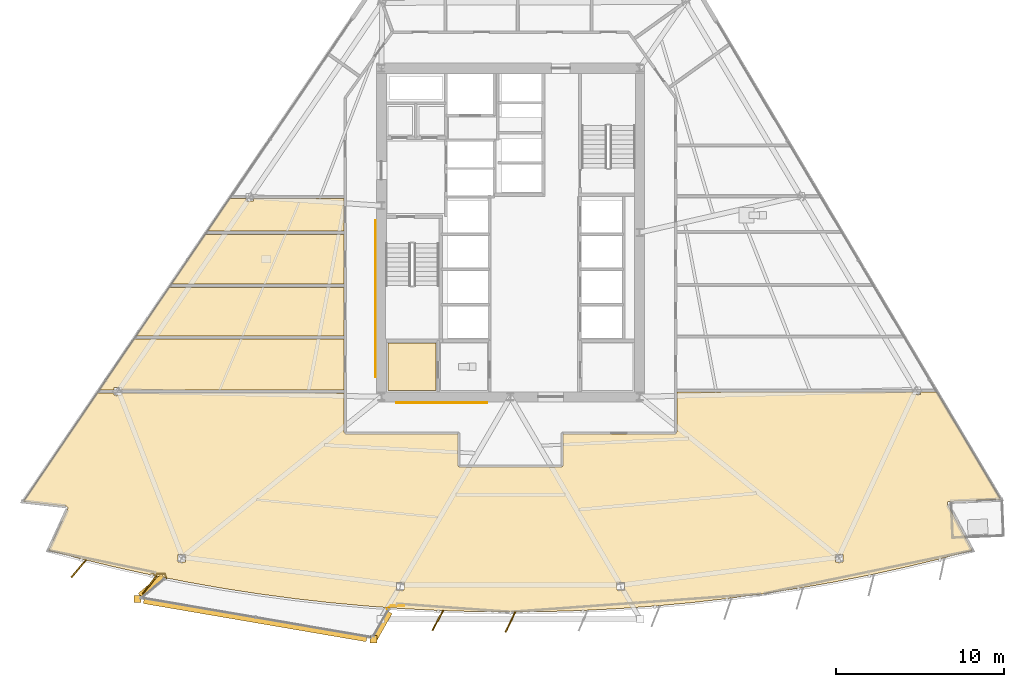
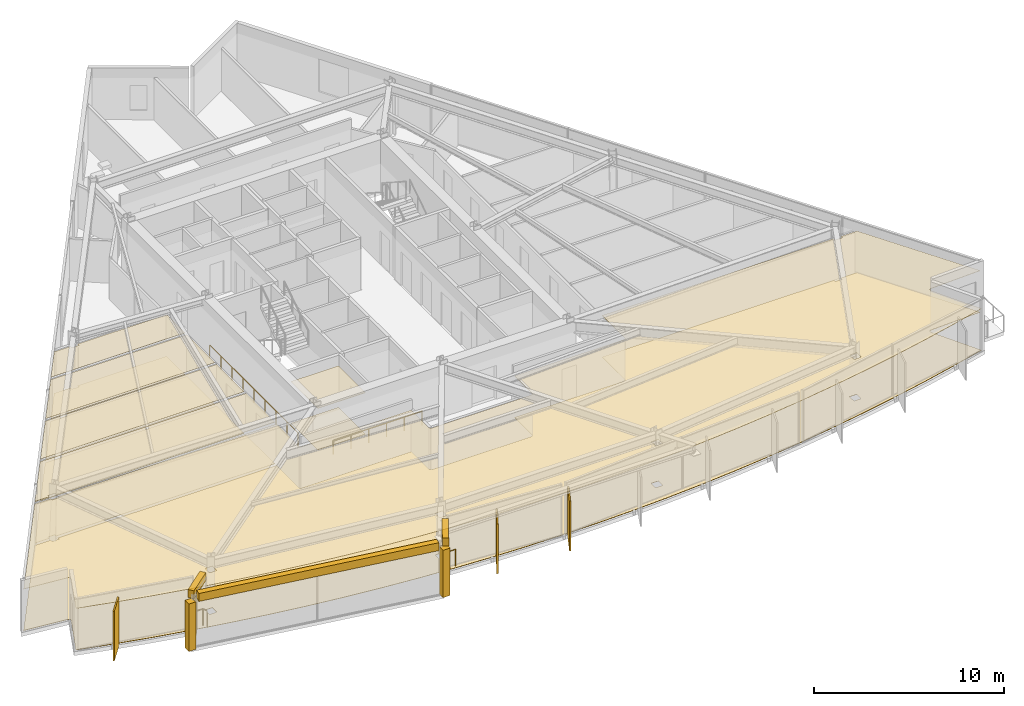
# One storey, part 13 of 17: 17 coverings, 4 railings, 4 shading devices.
"""IFC4 building model written with IfcOpenShell, lengths in metres."""

from ifc_helpers import new_model, si_unit, direction, frame, origin, origin_2d, place, context, subcontext, project, spatial, polyline, rectangle, circle, outline, extrude, material, layer, layer_set, type_object, element, save


model = new_model("IFC4")

# Units and contexts
model_context = context("Model", 3, precision=1e-05, world=origin(), true_north=direction((0.0, 1.0)))
body_context = subcontext(model_context, "Body", "Model", "MODEL_VIEW")
ifc_project = project(units=[si_unit("LENGTHUNIT", "METRE"), si_unit("AREAUNIT", "SQUARE_METRE"), si_unit("VOLUMEUNIT", "CUBIC_METRE"), si_unit("PLANEANGLEUNIT", "RADIAN"), si_unit("MASSUNIT", "GRAM", prefix="KILO")], contexts=[model_context])

# Site, building, storey
site_placement = place(None, origin())
site = spatial("IfcSite", under=ifc_project, at=site_placement, CompositionType="ELEMENT")
building_placement = place(site_placement, origin())
building = spatial("IfcBuilding", under=site, at=building_placement, Name="Savorim Split Tower", CompositionType="ELEMENT")
storey_placement = place(building_placement, frame((0.0, 0.0, 62.39990234375)))
storey = spatial("IfcBuildingStorey", under=building, at=storey_placement, Name="L16", CompositionType="ELEMENT", Elevation=62.39990234375)

# Coverings
ifc_material_1 = material(Name="Mineral Fibre Acoustic Ceiling")
ifc_layer_1 = layer(ifc_material_1, 0.02490234375)
ifc_layer_set_1 = layer_set([ifc_layer_1], Name="COV-CEIL-25")
covering_type_1 = type_object("IfcCoveringType", Name="COV-CEIL-25", PredefinedType="CEILING", material=ifc_layer_set_1)
covering_1_placement = place(storey_placement, frame((0.0, 0.0, 2.670166015625)))
element("IfcCovering", 1, at=covering_1_placement, inside=storey, type_object=covering_type_1, Name="L16 Housekeeping Store Acoustic Ceiling", PredefinedType="CEILING", context=body_context, shape_type="SweptSolid", body=[
    extrude(outline(polyline([(-7.320068359375, -6.179931640625), (-7.320068359375, -9.02001953125), (-4.429931640625, -9.02001953125), (-4.429931640625, -6.179931640625), (-7.320068359375, -6.179931640625)])), origin(), (0.0, 0.0, 1.0), 0.02490234375),
])
covering_2_placement = place(storey_placement, frame((0.0, 0.0, 2.670166015625)))
element("IfcCovering", 2, at=covering_2_placement, inside=storey, type_object=covering_type_1, Name="L16 Shared Kitchen Acoustic Ceiling", PredefinedType="CEILING", context=body_context, shape_type="SweptSolid", body=[
    extrude(outline(polyline([(-18.208740234375, 0.2890625), (-20.224853515625, -2.6748046875), (-9.919921875, -2.6748046875), (-9.919921875, 0.2890625), (-18.208740234375, 0.2890625)])), origin(), (0.0, 0.0, 1.0), 0.02490234375),
])
covering_3_placement = place(storey_placement, frame((0.0, 0.0, 2.670166015625)))
element("IfcCovering", 3, at=covering_3_placement, inside=storey, type_object=covering_type_1, Name="L16 Maker Workshop Acoustic Ceiling", PredefinedType="CEILING", context=body_context, shape_type="SweptSolid", body=[
    extrude(outline(polyline([(-20.354248046875, -2.86474609375), (-22.322021484375, -5.757568359375), (-9.919921875, -5.757568359375), (-9.919921875, -2.86474609375), (-20.354248046875, -2.86474609375)])), origin(), (0.0, 0.0, 1.0), 0.02490234375),
])
covering_4_placement = place(storey_placement, frame((0.0, 0.0, 2.670166015625)))
element("IfcCovering", 4, at=covering_4_placement, inside=storey, type_object=covering_type_1, Name="L16 Maker Workshop Acoustic Ceiling", PredefinedType="CEILING", context=body_context, shape_type="SweptSolid", body=[
    extrude(outline(polyline([(-23.214599609375, -8.849609375), (-23.214599609375, -8.982177734375), (-9.919921875, -8.982177734375), (-9.919921875, -5.947509765625), (-22.451416015625, -5.947509765625), (-24.515869140625, -8.982177734375), (-23.646484375, -8.982177734375), (-23.646484375, -8.849609375), (-23.214599609375, -8.849609375)])), origin(), (0.0, 0.0, 1.0), 0.02490234375),
])
covering_5_placement = place(storey_placement, frame((0.0, 0.0, 2.670166015625)))
element("IfcCovering", 5, at=covering_5_placement, inside=storey, type_object=covering_type_1, Name="L16 Maker Workshop Acoustic Ceiling", PredefinedType="CEILING", context=body_context, shape_type="SweptSolid", body=[
    extrude(outline(polyline([(-26.404052734375, -16.033447265625), (-26.40380859375, -16.04541015625), (-26.40478515625, -16.057373046875), (-26.406982421875, -16.069091796875), (-26.410400390625, -16.08056640625), (-26.414794921875, -16.091552734375), (-27.549560546875, -18.561767578125), (-25.601806640625, -19.071044921875), (-23.50634765625, -19.573486328125), (-21.40087890625, -20.032958984375), (-19.286376953125, -20.44921875), (-17.163818359375, -20.822265625), (-15.0341796875, -21.15185546875), (-12.898193359375, -21.4375), (-10.756591796875, -21.6796875), (-8.610595703125, -21.877685546875), (-6.461181640625, -22.031982421875), (-4.30908203125, -22.14208984375), (-2.15478515625, -22.208251953125), (0.0, -22.23046875), (2.15478515625, -22.208251953125), (4.30908203125, -22.14208984375), (6.461181640625, -22.031982421875), (8.610595703125, -21.877685546875), (10.756591796875, -21.6796875), (12.898193359375, -21.4375), (15.0341796875, -21.15185546875), (17.163818359375, -20.822265625), (19.286376953125, -20.44921875), (21.40087890625, -20.032958984375), (23.50634765625, -19.573486328125), (25.601806640625, -19.071044921875), (27.54052734375, -18.564208984375), (26.066650390625, -15.817138671875), (26.061767578125, -15.806640625), (26.057861328125, -15.7958984375), (26.054931640625, -15.78466796875), (26.052978515625, -15.773193359375), (26.052490234375, -15.76171875), (26.052734375, -15.750244140625), (26.054443359375, -15.73876953125), (26.056884765625, -15.7275390625), (26.060791015625, -15.716552734375), (26.0654296875, -15.7060546875), (26.071044921875, -15.696044921875), (26.077880859375, -15.6865234375), (26.085205078125, -15.677978515625), (26.093505859375, -15.669921875), (26.102783203125, -15.66259765625), (26.1123046875, -15.656494140625), (26.122802734375, -15.651123046875), (26.13330078125, -15.64697265625), (26.14453125, -15.643798828125), (26.15576171875, -15.6416015625), (26.167236328125, -15.640380859375), (29.23046875, -15.51025390625), (25.4130859375, -9.09033203125), (25.4130859375, -9.123291015625), (24.443115234375, -9.123291015625), (24.443115234375, -9.255859375), (24.010986328125, -9.255859375), (24.010986328125, -9.123291015625), (9.919921875, -9.123291015625), (9.919921875, -11.47998046875), (9.919189453125, -11.49365234375), (9.917236328125, -11.50732421875), (9.9140625, -11.5205078125), (9.9091796875, -11.53369140625), (9.903564453125, -11.5458984375), (9.896484375, -11.557861328125), (9.88818359375, -11.56884765625), (9.87890625, -11.5791015625), (9.868896484375, -11.588134765625), (9.85791015625, -11.596435546875), (9.845947265625, -11.603515625), (9.83349609375, -11.609375), (9.820556640625, -11.614013671875), (9.807373046875, -11.6171875), (9.793701171875, -11.619384765625), (9.780029296875, -11.6201171875), (3.139892578125, -11.6201171875), (3.139892578125, -13.449951171875), (3.139404296875, -13.463623046875), (3.13720703125, -13.477294921875), (3.134033203125, -13.490478515625), (3.12939453125, -13.503662109375), (3.12353515625, -13.51611328125), (3.116455078125, -13.52783203125), (3.108154296875, -13.538818359375), (3.09912109375, -13.549072265625), (3.0888671875, -13.55810546875), (3.077880859375, -13.56640625), (3.06591796875, -13.573486328125), (3.0537109375, -13.579345703125), (3.04052734375, -13.583984375), (3.02734375, -13.58740234375), (3.013671875, -13.58935546875), (3.0, -13.590087890625), (-3.0, -13.590087890625), (-3.013671875, -13.58935546875), (-3.02734375, -13.58740234375), (-3.04052734375, -13.583984375), (-3.0537109375, -13.579345703125), (-3.06591796875, -13.573486328125), (-3.077880859375, -13.56640625), (-3.0888671875, -13.55810546875), (-3.09912109375, -13.549072265625), (-3.108154296875, -13.538818359375), (-3.116455078125, -13.52783203125), (-3.12353515625, -13.51611328125), (-3.12939453125, -13.503662109375), (-3.134033203125, -13.490478515625), (-3.13720703125, -13.477294921875), (-3.139404296875, -13.463623046875), (-3.139892578125, -13.449951171875), (-3.139892578125, -11.6201171875), (-9.780029296875, -11.6201171875), (-9.793701171875, -11.619384765625), (-9.807373046875, -11.6171875), (-9.820556640625, -11.614013671875), (-9.83349609375, -11.609375), (-9.845947265625, -11.603515625), (-9.85791015625, -11.596435546875), (-9.868896484375, -11.588134765625), (-9.87890625, -11.5791015625), (-9.88818359375, -11.56884765625), (-9.896484375, -11.557861328125), (-9.903564453125, -11.5458984375), (-9.9091796875, -11.53369140625), (-9.9140625, -11.5205078125), (-9.917236328125, -11.50732421875), (-9.919189453125, -11.49365234375), (-9.919921875, -11.47998046875), (-9.919921875, -9.172119140625), (-23.214599609375, -9.172119140625), (-23.214599609375, -9.3046875), (-23.646484375, -9.3046875), (-23.646484375, -9.172119140625), (-24.52001953125, -9.172119140625), (-24.614990234375, -9.172119140625), (-24.614990234375, -9.1279296875), (-29.04443359375, -15.639404296875), (-26.510498046875, -15.922119140625), (-26.498779296875, -15.92431640625), (-26.4873046875, -15.92724609375), (-26.47607421875, -15.931396484375), (-26.46533203125, -15.936767578125), (-26.455078125, -15.943115234375), (-26.44580078125, -15.9501953125), (-26.43701171875, -15.95849609375), (-26.42919921875, -15.967529296875), (-26.42236328125, -15.977294921875), (-26.41650390625, -15.98779296875), (-26.41162109375, -15.99853515625), (-26.407958984375, -16.010009765625), (-26.405517578125, -16.021484375), (-26.404052734375, -16.033447265625)]), holes=[polyline([(-19.820556640625, -19.252685546875), (-19.388671875, -19.252685546875), (-19.388671875, -18.797607421875), (-19.820556640625, -18.797607421875), (-19.820556640625, -19.252685546875)]), polyline([(-6.78662109375, -20.926025390625), (-6.3544921875, -20.926025390625), (-6.3544921875, -20.470947265625), (-6.78662109375, -20.470947265625), (-6.78662109375, -20.926025390625)]), polyline([(6.3544921875, -20.926025390625), (6.78662109375, -20.926025390625), (6.78662109375, -20.470947265625), (6.3544921875, -20.470947265625), (6.3544921875, -20.926025390625)]), polyline([(19.820556640625, -19.252685546875), (19.820556640625, -18.797607421875), (19.388671875, -18.797607421875), (19.388671875, -19.252685546875), (19.820556640625, -19.252685546875)])]), origin(), (0.0, 0.0, 1.0), 0.02490234375),
])
covering_6_placement = place(storey_placement, frame((0.0, 0.0, 2.670166015625)))
element("IfcCovering", 6, at=covering_6_placement, inside=storey, type_object=covering_type_1, Name="L16 Maker Workshop Acoustic Ceiling", PredefinedType="CEILING", context=body_context, shape_type="SweptSolid", body=[
    extrude(outline(polyline([(-15.76123046875, 2.419189453125), (-16.634521484375, 2.419189453125), (-16.7294921875, 2.419189453125), (-16.7294921875, 2.46337890625), (-18.07958984375, 0.47900390625), (-9.919921875, 0.47900390625), (-9.919921875, 2.419189453125), (-15.3291015625, 2.419189453125), (-15.3291015625, 2.28662109375), (-15.76123046875, 2.28662109375), (-15.76123046875, 2.419189453125)])), origin(), (0.0, 0.0, 1.0), 0.02490234375),
])
ifc_material_2 = material(Name="Porcelain Stoneware Flooring", Category="masonry")
ifc_layer_2 = layer(ifc_material_2, 0.02001953125)
ifc_layer_set_2 = layer_set([ifc_layer_2], Name="COV-FLOR-20")
covering_type_2 = type_object("IfcCoveringType", Name="COV-FLOR-20", PredefinedType="FLOORING", material=ifc_layer_set_2)
covering_7_placement = place(storey_placement, origin())
element("IfcCovering", 7, at=covering_7_placement, inside=storey, type_object=covering_type_2, Name="L16 Housekeeping Store Porcelain Flooring", PredefinedType="FLOORING", context=body_context, shape_type="SweptSolid", body=[
    extrude(outline(polyline([(-7.320068359375, -6.179931640625), (-7.320068359375, -9.02001953125), (-4.429931640625, -9.02001953125), (-4.429931640625, -6.179931640625), (-7.320068359375, -6.179931640625)])), origin(), (0.0, 0.0, 1.0), 0.02001953125),
])
covering_8_placement = place(storey_placement, origin())
element("IfcCovering", 8, at=covering_8_placement, inside=storey, type_object=covering_type_2, Name="L16 Shared Kitchen Porcelain Flooring", PredefinedType="FLOORING", context=body_context, shape_type="SweptSolid", body=[
    extrude(outline(polyline([(-18.208740234375, 0.2890625), (-20.224853515625, -2.6748046875), (-9.919921875, -2.6748046875), (-9.919921875, 0.2890625), (-18.208740234375, 0.2890625)])), origin(), (0.0, 0.0, 1.0), 0.02001953125),
])
covering_9_placement = place(storey_placement, origin())
element("IfcCovering", 9, at=covering_9_placement, inside=storey, type_object=covering_type_2, Name="L16 Maker Workshop Porcelain Flooring", PredefinedType="FLOORING", context=body_context, shape_type="SweptSolid", body=[
    extrude(outline(polyline([(-20.354248046875, -2.86474609375), (-22.322021484375, -5.757568359375), (-9.919921875, -5.757568359375), (-9.919921875, -2.86474609375), (-20.354248046875, -2.86474609375)])), origin(), (0.0, 0.0, 1.0), 0.02001953125),
])
covering_10_placement = place(storey_placement, origin())
element("IfcCovering", 10, at=covering_10_placement, inside=storey, type_object=covering_type_2, Name="L16 Maker Workshop Porcelain Flooring", PredefinedType="FLOORING", context=body_context, shape_type="SweptSolid", body=[
    extrude(outline(polyline([(-23.214599609375, -8.849609375), (-23.214599609375, -8.982177734375), (-9.919921875, -8.982177734375), (-9.919921875, -5.947509765625), (-22.451416015625, -5.947509765625), (-24.515869140625, -8.982177734375), (-23.646484375, -8.982177734375), (-23.646484375, -8.849609375), (-23.214599609375, -8.849609375)])), origin(), (0.0, 0.0, 1.0), 0.02001953125),
])
covering_11_placement = place(storey_placement, origin())
element("IfcCovering", 11, at=covering_11_placement, inside=storey, type_object=covering_type_2, Name="L16 Maker Workshop Porcelain Flooring", PredefinedType="FLOORING", context=body_context, shape_type="SweptSolid", body=[
    extrude(outline(polyline([(-26.404052734375, -16.033447265625), (-26.40380859375, -16.04541015625), (-26.40478515625, -16.057373046875), (-26.406982421875, -16.069091796875), (-26.410400390625, -16.08056640625), (-26.414794921875, -16.091552734375), (-27.549560546875, -18.561767578125), (-25.601806640625, -19.071044921875), (-23.50634765625, -19.573486328125), (-21.40087890625, -20.032958984375), (-19.286376953125, -20.44921875), (-17.163818359375, -20.822265625), (-15.0341796875, -21.15185546875), (-12.898193359375, -21.4375), (-10.756591796875, -21.6796875), (-8.610595703125, -21.877685546875), (-6.461181640625, -22.031982421875), (-4.30908203125, -22.14208984375), (-2.15478515625, -22.208251953125), (0.0, -22.23046875), (2.15478515625, -22.208251953125), (4.30908203125, -22.14208984375), (6.461181640625, -22.031982421875), (8.610595703125, -21.877685546875), (10.756591796875, -21.6796875), (12.898193359375, -21.4375), (15.0341796875, -21.15185546875), (17.163818359375, -20.822265625), (19.286376953125, -20.44921875), (21.40087890625, -20.032958984375), (23.50634765625, -19.573486328125), (25.601806640625, -19.071044921875), (27.54052734375, -18.564208984375), (26.066650390625, -15.817138671875), (26.061767578125, -15.806640625), (26.057861328125, -15.7958984375), (26.054931640625, -15.78466796875), (26.052978515625, -15.773193359375), (26.052490234375, -15.76171875), (26.052734375, -15.750244140625), (26.054443359375, -15.73876953125), (26.056884765625, -15.7275390625), (26.060791015625, -15.716552734375), (26.0654296875, -15.7060546875), (26.071044921875, -15.696044921875), (26.077880859375, -15.6865234375), (26.085205078125, -15.677978515625), (26.093505859375, -15.669921875), (26.102783203125, -15.66259765625), (26.1123046875, -15.656494140625), (26.122802734375, -15.651123046875), (26.13330078125, -15.64697265625), (26.14453125, -15.643798828125), (26.15576171875, -15.6416015625), (26.167236328125, -15.640380859375), (29.23046875, -15.51025390625), (25.4130859375, -9.09033203125), (25.4130859375, -9.123291015625), (24.443115234375, -9.123291015625), (24.443115234375, -9.255859375), (24.010986328125, -9.255859375), (24.010986328125, -9.123291015625), (9.919921875, -9.123291015625), (9.919921875, -11.47998046875), (9.919189453125, -11.49365234375), (9.917236328125, -11.50732421875), (9.9140625, -11.5205078125), (9.9091796875, -11.53369140625), (9.903564453125, -11.5458984375), (9.896484375, -11.557861328125), (9.88818359375, -11.56884765625), (9.87890625, -11.5791015625), (9.868896484375, -11.588134765625), (9.85791015625, -11.596435546875), (9.845947265625, -11.603515625), (9.83349609375, -11.609375), (9.820556640625, -11.614013671875), (9.807373046875, -11.6171875), (9.793701171875, -11.619384765625), (9.780029296875, -11.6201171875), (3.139892578125, -11.6201171875), (3.139892578125, -13.449951171875), (3.139404296875, -13.463623046875), (3.13720703125, -13.477294921875), (3.134033203125, -13.490478515625), (3.12939453125, -13.503662109375), (3.12353515625, -13.51611328125), (3.116455078125, -13.52783203125), (3.108154296875, -13.538818359375), (3.09912109375, -13.549072265625), (3.0888671875, -13.55810546875), (3.077880859375, -13.56640625), (3.06591796875, -13.573486328125), (3.0537109375, -13.579345703125), (3.04052734375, -13.583984375), (3.02734375, -13.58740234375), (3.013671875, -13.58935546875), (3.0, -13.590087890625), (-3.0, -13.590087890625), (-3.013671875, -13.58935546875), (-3.02734375, -13.58740234375), (-3.04052734375, -13.583984375), (-3.0537109375, -13.579345703125), (-3.06591796875, -13.573486328125), (-3.077880859375, -13.56640625), (-3.0888671875, -13.55810546875), (-3.09912109375, -13.549072265625), (-3.108154296875, -13.538818359375), (-3.116455078125, -13.52783203125), (-3.12353515625, -13.51611328125), (-3.12939453125, -13.503662109375), (-3.134033203125, -13.490478515625), (-3.13720703125, -13.477294921875), (-3.139404296875, -13.463623046875), (-3.139892578125, -13.449951171875), (-3.139892578125, -11.6201171875), (-9.780029296875, -11.6201171875), (-9.793701171875, -11.619384765625), (-9.807373046875, -11.6171875), (-9.820556640625, -11.614013671875), (-9.83349609375, -11.609375), (-9.845947265625, -11.603515625), (-9.85791015625, -11.596435546875), (-9.868896484375, -11.588134765625), (-9.87890625, -11.5791015625), (-9.88818359375, -11.56884765625), (-9.896484375, -11.557861328125), (-9.903564453125, -11.5458984375), (-9.9091796875, -11.53369140625), (-9.9140625, -11.5205078125), (-9.917236328125, -11.50732421875), (-9.919189453125, -11.49365234375), (-9.919921875, -11.47998046875), (-9.919921875, -9.172119140625), (-23.214599609375, -9.172119140625), (-23.214599609375, -9.3046875), (-23.646484375, -9.3046875), (-23.646484375, -9.172119140625), (-24.52001953125, -9.172119140625), (-24.614990234375, -9.172119140625), (-24.614990234375, -9.1279296875), (-29.04443359375, -15.639404296875), (-26.510498046875, -15.922119140625), (-26.498779296875, -15.92431640625), (-26.4873046875, -15.92724609375), (-26.47607421875, -15.931396484375), (-26.46533203125, -15.936767578125), (-26.455078125, -15.943115234375), (-26.44580078125, -15.9501953125), (-26.43701171875, -15.95849609375), (-26.42919921875, -15.967529296875), (-26.42236328125, -15.977294921875), (-26.41650390625, -15.98779296875), (-26.41162109375, -15.99853515625), (-26.407958984375, -16.010009765625), (-26.405517578125, -16.021484375), (-26.404052734375, -16.033447265625)]), holes=[polyline([(-19.820556640625, -19.252685546875), (-19.388671875, -19.252685546875), (-19.388671875, -18.797607421875), (-19.820556640625, -18.797607421875), (-19.820556640625, -19.252685546875)]), polyline([(-6.78662109375, -20.926025390625), (-6.3544921875, -20.926025390625), (-6.3544921875, -20.470947265625), (-6.78662109375, -20.470947265625), (-6.78662109375, -20.926025390625)]), polyline([(6.3544921875, -20.926025390625), (6.78662109375, -20.926025390625), (6.78662109375, -20.470947265625), (6.3544921875, -20.470947265625), (6.3544921875, -20.926025390625)]), polyline([(19.820556640625, -19.252685546875), (19.820556640625, -18.797607421875), (19.388671875, -18.797607421875), (19.388671875, -19.252685546875), (19.820556640625, -19.252685546875)])]), origin(), (0.0, 0.0, 1.0), 0.02001953125),
])
covering_12_placement = place(storey_placement, origin())
element("IfcCovering", 12, at=covering_12_placement, inside=storey, type_object=covering_type_2, Name="L16 Maker Workshop Porcelain Flooring", PredefinedType="FLOORING", context=body_context, shape_type="SweptSolid", body=[
    extrude(outline(polyline([(-15.76123046875, 2.419189453125), (-16.634521484375, 2.419189453125), (-16.7294921875, 2.419189453125), (-16.7294921875, 2.46337890625), (-18.07958984375, 0.47900390625), (-9.919921875, 0.47900390625), (-9.919921875, 2.419189453125), (-15.3291015625, 2.419189453125), (-15.3291015625, 2.28662109375), (-15.76123046875, 2.28662109375), (-15.76123046875, 2.419189453125)])), origin(), (0.0, 0.0, 1.0), 0.02001953125),
])
ifc_material_3 = material(Name="White Porcelain Architectural Cladding")
ifc_layer_3 = layer(ifc_material_3, 0.139892578125)
ifc_layer_set_3 = layer_set([ifc_layer_3], Name="COV-FRM-WHITE")
covering_type_3 = type_object("IfcCoveringType", Name="COV-FRM-WHITE", PredefinedType="CLADDING", material=ifc_layer_set_3)
covering_13_placement = place(storey_placement, frame((0.0, 0.0, 3.080078125)))
element("IfcCovering", 13, at=covering_13_placement, inside=storey, type_object=covering_type_3, Name="L16 Cantilevered Lounge White Upper Cornice Band W", PredefinedType="CLADDING", context=body_context, shape_type="SweptSolid", body=[
    extrude(outline(polyline([(-20.82421875, -19.976806640625), (-22.2109375, -21.12451171875), (-21.994140625, -21.386474609375), (-20.607421875, -20.23876953125), (-20.82421875, -19.976806640625)])), origin(), (0.0, 0.0, 1.0), 0.510009765625),
])
covering_14_placement = place(storey_placement, frame((0.0, 0.0, 3.080078125)))
element("IfcCovering", 14, at=covering_14_placement, inside=storey, type_object=covering_type_3, Name="L16 Cantilevered Lounge White Upper Cornice Band F", PredefinedType="CLADDING", context=body_context, shape_type="SweptSolid", body=[
    extrude(outline(polyline([(-21.8984375, -21.7314453125), (-8.609130859375, -24.009033203125), (-8.551513671875, -23.673828125), (-21.8408203125, -21.396484375), (-21.8984375, -21.7314453125)])), origin(), (0.0, 0.0, 1.0), 0.510009765625),
])
covering_15_placement = place(storey_placement, frame((0.0, 0.0, 3.080078125)))
element("IfcCovering", 15, at=covering_15_placement, inside=storey, type_object=covering_type_3, Name="L16 Cantilevered Lounge White Upper Cornice Band E", PredefinedType="CLADDING", context=body_context, shape_type="SweptSolid", body=[
    extrude(outline(polyline([(-7.94677734375, -23.8984375), (-7.060546875, -22.33154296875), (-7.356689453125, -22.164306640625), (-8.24267578125, -23.731201171875), (-7.94677734375, -23.8984375)])), origin(), (0.0, 0.0, 1.0), 0.510009765625),
])
covering_16_placement = place(storey_placement, frame((0.0, 0.0, 0.010009765625)))
element("IfcCovering", 16, at=covering_16_placement, inside=storey, type_object=covering_type_3, Name="L16 Cantilevered Lounge White Frame Corner Post 1", PredefinedType="CLADDING", context=body_context, shape_type="SweptSolid", body=[
    extrude(outline(polyline([(-22.465576171875, -21.656982421875), (-22.04541015625, -21.656982421875), (-22.04541015625, -21.237060546875), (-22.465576171875, -21.237060546875), (-22.465576171875, -21.656982421875)])), origin(), (0.0, 0.0, 1.0), 3.050048828125),
])
covering_17_placement = place(storey_placement, frame((0.0, 0.0, 0.010009765625)))
element("IfcCovering", 17, at=covering_17_placement, inside=storey, type_object=covering_type_3, Name="L16 Cantilevered Lounge White Frame Corner Post 2", PredefinedType="CLADDING", context=body_context, shape_type="SweptSolid", body=[
    extrude(outline(polyline([(-8.3876953125, -24.06982421875), (-7.967529296875, -24.06982421875), (-7.967529296875, -23.64990234375), (-8.3876953125, -23.64990234375), (-8.3876953125, -24.06982421875)])), origin(), (0.0, 0.0, 1.0), 3.050048828125),
])

# Railings
ifc_material_4 = material(Name="Galvanised Painted Steel Balustrade", Category="steel")
railing_type_1 = type_object("IfcRailingType", Name="RLG-BAL-1100", PredefinedType="BALUSTRADE", material=ifc_material_4)
railing_1_placement = place(storey_placement, frame((-21.40234375, -19.9453125, 0.0)))
element("IfcRailing", 18, at=railing_1_placement, inside=storey, type_object=railing_type_1, Name="L16 Cantilevered Lounge West Edge Closure Guard", PredefinedType="BALUSTRADE", context=body_context, shape_type="SweptSolid", body=[
    extrude(circle(Radius=0.02392578125, at=origin_2d()), frame((0.0, 0.0, 1.076171875), z_axis=(1.0, 0.0, 0.0), x_axis=(0.0, 1.0, 0.0)), (0.0, 0.0, 1.0), 0.780029296875),
    extrude(circle(Radius=0.02392578125, at=origin_2d()), frame((0.780029296875, 0.0, 1.076171875), z_axis=(0.344521031273, -0.93877859957, 0.0), x_axis=(0.93877859957, 0.344521031273, 0.0)), (0.0, 0.0, 1.0), 0.296142578125),
    extrude(circle(Radius=0.02099609375, at=origin_2d()), origin(), (0.0, 0.0, 1.0), 1.052001953125),
    extrude(circle(Radius=0.02099609375, at=origin_2d()), frame((0.780029296875, 0.0, 0.0)), (0.0, 0.0, 1.0), 1.052001953125),
    extrude(circle(Radius=0.02099609375, at=origin_2d()), frame((0.882080078125, -0.278076171875, 0.0)), (0.0, 0.0, 1.0), 1.052001953125),
])
railing_2_placement = place(storey_placement, frame((-7.3603515625, -22.034912109375, 0.0)))
element("IfcRailing", 19, at=railing_2_placement, inside=storey, type_object=railing_type_1, Name="L16 Cantilevered Lounge East Edge Closure Guard", PredefinedType="BALUSTRADE", context=body_context, shape_type="SweptSolid", body=[
    extrude(circle(Radius=0.02392578125, at=origin_2d()), frame((0.0, 0.0, 1.076171875), z_axis=(0.798861025497, 0.601515637321, 0.0), x_axis=(-0.601515637321, 0.798861025497, 0.0)), (0.0, 0.0, 1.0), 0.283203125),
    extrude(circle(Radius=0.02392578125, at=origin_2d()), frame((0.226318359375, 0.17041015625, 1.076171875), z_axis=(1.0, 0.0, 0.0), x_axis=(0.0, 1.0, 0.0)), (0.0, 0.0, 1.0), 0.780029296875),
    extrude(circle(Radius=0.02099609375, at=origin_2d()), origin(), (0.0, 0.0, 1.0), 1.052001953125),
    extrude(circle(Radius=0.02099609375, at=origin_2d()), frame((0.226318359375, 0.17041015625, 0.0)), (0.0, 0.0, 1.0), 1.052001953125),
    extrude(circle(Radius=0.02099609375, at=origin_2d()), frame((1.00634765625, 0.17041015625, 0.0)), (0.0, 0.0, 1.0), 1.052001953125),
])
railing_type_2 = type_object("IfcRailingType", Name="RLG-HR-900", PredefinedType="HANDRAIL", material=ifc_material_4)
railing_3_placement = place(storey_placement, frame((-6.800048828125, -9.75, 0.0)))
element("IfcRailing", 20, at=railing_3_placement, inside=storey, type_object=railing_type_2, Name="L16 Corridor South Accessible Handrail", PredefinedType="HANDRAIL", context=body_context, shape_type="SweptSolid", body=[
    extrude(circle(Radius=0.02392578125, at=origin_2d()), frame((0.0, 0.0, 0.8759765625), z_axis=(1.0, 0.0, 0.0), x_axis=(0.0, 1.0, 0.0)), (0.0, 0.0, 1.0), 5.400146484375),
    extrude(circle(Radius=0.02099609375, at=origin_2d()), origin(), (0.0, 0.0, 1.0), 0.851806640625),
    extrude(circle(Radius=0.02099609375, at=origin_2d()), frame((1.080078125, 0.0, 0.0)), (0.0, 0.0, 1.0), 0.851806640625),
    extrude(circle(Radius=0.02099609375, at=origin_2d()), frame((2.16015625, 0.0, 0.0)), (0.0, 0.0, 1.0), 0.851806640625),
    extrude(circle(Radius=0.02099609375, at=origin_2d()), frame((3.239990234375, 0.0, 0.0)), (0.0, 0.0, 1.0), 0.851806640625),
    extrude(circle(Radius=0.02099609375, at=origin_2d()), frame((4.320068359375, 0.0, 0.0)), (0.0, 0.0, 1.0), 0.851806640625),
    extrude(circle(Radius=0.02099609375, at=origin_2d()), frame((5.400146484375, 0.0, 0.0)), (0.0, 0.0, 1.0), 0.851806640625),
])
railing_4_placement = place(storey_placement, frame((-8.050048828125, -8.199951171875, 0.0)))
element("IfcRailing", 21, at=railing_4_placement, inside=storey, type_object=railing_type_2, Name="L16 Corridor West Accessible Handrail", PredefinedType="HANDRAIL", context=body_context, shape_type="SweptSolid", body=[
    extrude(circle(Radius=0.02392578125, at=origin_2d()), frame((0.0, 0.0, 0.8759765625), z_axis=(0.0, 1.0, 0.0), x_axis=(-1.0, 0.0, 0.0)), (0.0, 0.0, 1.0), 9.300048828125),
    extrude(circle(Radius=0.02099609375, at=origin_2d()), origin(), (0.0, 0.0, 1.0), 0.851806640625),
    extrude(circle(Radius=0.02099609375, at=origin_2d()), frame((0.0, 1.16259765625, 0.0)), (0.0, 0.0, 1.0), 0.851806640625),
    extrude(circle(Radius=0.02099609375, at=origin_2d()), frame((0.0, 2.324951171875, 0.0)), (0.0, 0.0, 1.0), 0.851806640625),
    extrude(circle(Radius=0.02099609375, at=origin_2d()), frame((0.0, 3.487548828125, 0.0)), (0.0, 0.0, 1.0), 0.851806640625),
    extrude(circle(Radius=0.02099609375, at=origin_2d()), frame((0.0, 4.64990234375, 0.0)), (0.0, 0.0, 1.0), 0.851806640625),
    extrude(circle(Radius=0.02099609375, at=origin_2d()), frame((0.0, 5.8125, 0.0)), (0.0, 0.0, 1.0), 0.851806640625),
    extrude(circle(Radius=0.02099609375, at=origin_2d()), frame((0.0, 6.97509765625, 0.0)), (0.0, 0.0, 1.0), 0.851806640625),
    extrude(circle(Radius=0.02099609375, at=origin_2d()), frame((0.0, 8.137451171875, 0.0)), (0.0, 0.0, 1.0), 0.851806640625),
    extrude(circle(Radius=0.02099609375, at=origin_2d()), frame((0.0, 9.300048828125, 0.0)), (0.0, 0.0, 1.0), 0.851806640625),
])

# Shading devices
ifc_material_5 = material(Name="Terracotta Ceramic-Coated Aluminium Fin", Category="masonry")
shading_device_type = type_object("IfcShadingDeviceType", Name="SHD-FIN-1360", PredefinedType="USERDEFINED", material=ifc_material_5)
for number, where, z_axis, x_axis, name in (
    (22, (-25.746826171875, -19.649169921875, -0.19970703125), (0.0, 0.0, 1.0), (-0.643719022682, -0.765261928909, 0.0), "L16 Sawtooth Shading Fin 01"),
    (23, (-21.52197265625, -20.61669921875, -0.19970703125), (0.0, 0.0, 1.0), (-0.611868076908, -0.790959832394, 0.0), "L16 Sawtooth Shading Fin 02"),
    (24, (-4.33349609375, -22.73779296875, -0.19970703125), (0.0, 0.0, 1.0), (-0.474778051978, -0.880105562623, 0.0), "L16 Sawtooth Shading Fin 06"),
    (25, (0.0, -22.826416015625, -0.19970703125), (0.0, 0.0, 1.0), (-0.438371146789, -0.898794046299, 0.0), "L16 Sawtooth Shading Fin 07"),
):
    element("IfcShadingDevice", number, at=place(storey_placement, frame(where, z_axis=z_axis, x_axis=x_axis)), inside=storey, type_object=shading_device_type, Name=name, ObjectType="FIN", PredefinedType="USERDEFINED", context=body_context, shape_type="SweptSolid", body=[
        extrude(rectangle(XDim=1.360107421875, YDim=0.080078125, at=origin_2d()), origin(), (0.0, 0.0, 1.0), 3.199951171875),
    ])

save(model, "model.ifc")
